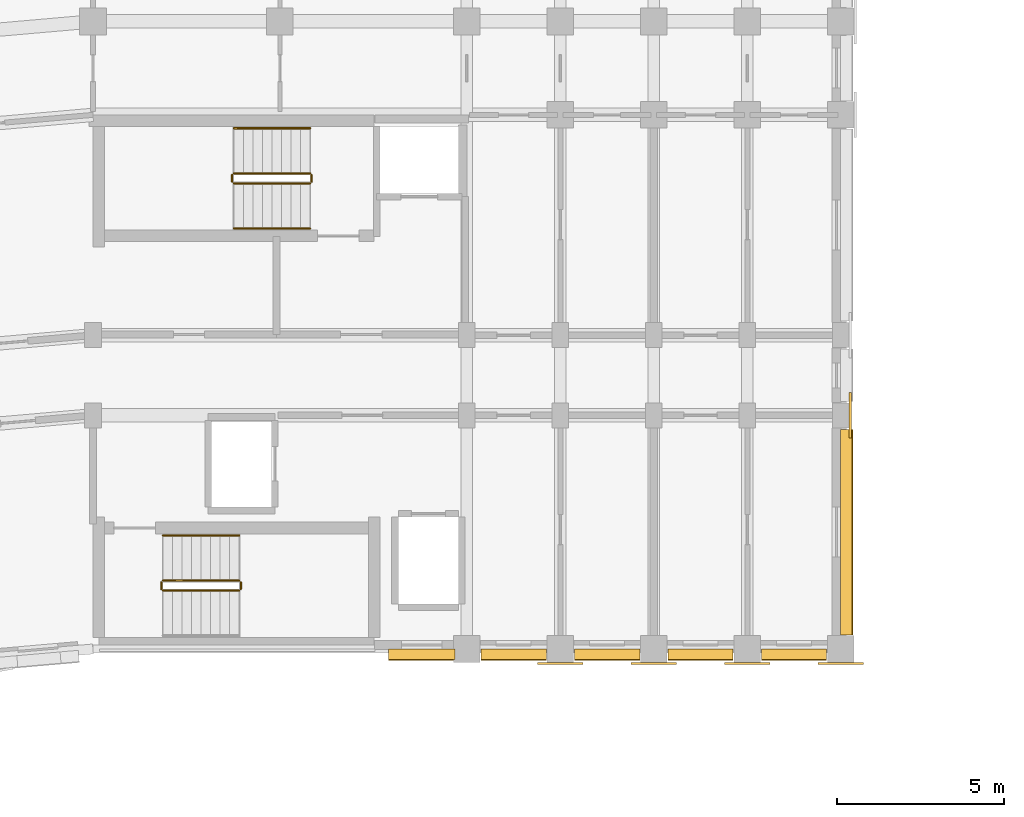
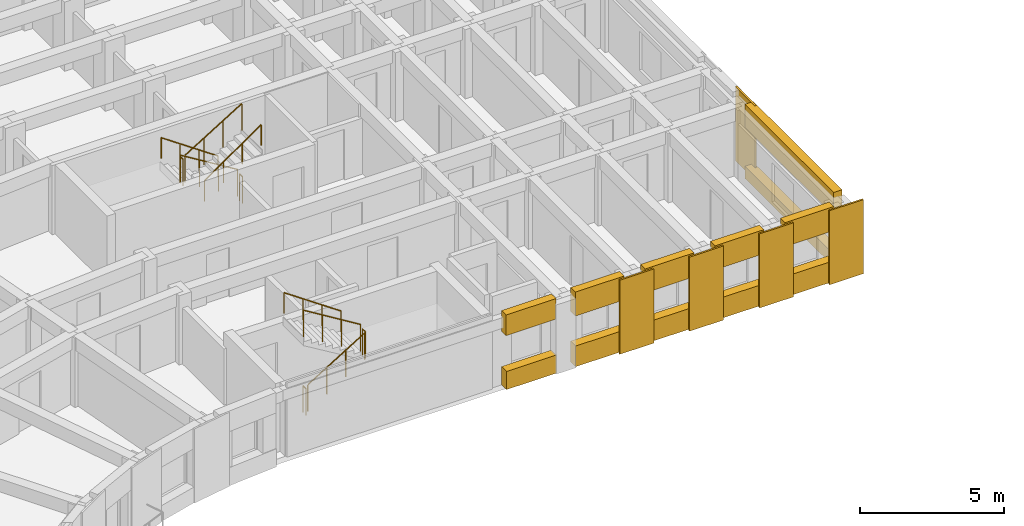
# One storey, part 68 of 76: 17 coverings, 11 railings.
"""IFC4 building model written with IfcOpenShell, lengths in metres."""

from ifc_helpers import new_model, si_unit, direction, frame, origin, origin_2d, place, context, subcontext, project, spatial, polyline, circle, outline, extrude, material, layer, layer_set, type_object, element, save


model = new_model("IFC4")

# Units and contexts
model_context = context("Model", 3, precision=1e-05, world=origin(), true_north=direction((0.0, 1.0)))
body_context = subcontext(model_context, "Body", "Model", "MODEL_VIEW")
ifc_project = project(units=[si_unit("LENGTHUNIT", "METRE"), si_unit("AREAUNIT", "SQUARE_METRE"), si_unit("VOLUMEUNIT", "CUBIC_METRE"), si_unit("PLANEANGLEUNIT", "RADIAN"), si_unit("MASSUNIT", "GRAM", prefix="KILO")], contexts=[model_context])

# Site, building, storey
site_placement = place(None, origin())
site = spatial("IfcSite", under=ifc_project, at=site_placement, CompositionType="ELEMENT")
building_placement = place(site_placement, origin())
building = spatial("IfcBuilding", under=site, at=building_placement, Name="Kiranvali Square Residences", CompositionType="ELEMENT")
storey_placement = place(building_placement, frame((0.0, 0.0, 8.699951171875)))
storey = spatial("IfcBuildingStorey", under=building, at=storey_placement, Name="L02", CompositionType="ELEMENT", Elevation=8.699951171875)

# Coverings
ifc_material_1 = material(Name="Honed Porbandar limestone ashlar facade cladding", Category="masonry")
ifc_layer_1 = layer(ifc_material_1, 0.050048828125)
ifc_layer_set_1 = layer_set([ifc_layer_1], Name="Honed Porbandar limestone ashlar facade cladding")
covering_type_1 = type_object("IfcCoveringType", Name="COV-CLAD-PIER-IN", PredefinedType="CLADDING", material=ifc_layer_set_1)
covering_1_placement = place(storey_placement, frame((0.0, 0.0, 0.005126953125)))
element("IfcCovering", 1, at=covering_1_placement, inside=storey, type_object=covering_type_1, Name="L02 Classical limestone pilaster casing CLAD-PRA1I-A-L02-U140", PredefinedType="CLADDING", context=body_context, shape_type="SweptSolid", body=[
    extrude(outline(polyline([(61.52001953125, 106.132080078125), (62.8798828125, 106.132080078125), (62.8798828125, 106.199462890625), (61.52001953125, 106.199462890625), (61.52001953125, 106.132080078125)])), origin(), (0.0, 0.0, 1.0), 3.139892578125),
])
covering_2_placement = place(storey_placement, frame((0.0, 0.0, 0.005126953125)))
element("IfcCovering", 2, at=covering_2_placement, inside=storey, type_object=covering_type_1, Name="L02 Classical limestone pilaster casing CLAD-PRA1I-A-L02-U167", PredefinedType="CLADDING", context=body_context, shape_type="SweptSolid", body=[
    extrude(outline(polyline([(64.320068359375, 106.132080078125), (65.679931640625, 106.132080078125), (65.679931640625, 106.199462890625), (64.320068359375, 106.199462890625), (64.320068359375, 106.132080078125)])), origin(), (0.0, 0.0, 1.0), 3.139892578125),
])
covering_3_placement = place(storey_placement, frame((0.0, 0.0, 0.005126953125)))
element("IfcCovering", 3, at=covering_3_placement, inside=storey, type_object=covering_type_1, Name="L02 Classical limestone pilaster casing CLAD-PRA1I-A-L02-U195", PredefinedType="CLADDING", context=body_context, shape_type="SweptSolid", body=[
    extrude(outline(polyline([(67.1201171875, 106.132080078125), (68.47998046875, 106.132080078125), (68.47998046875, 106.199462890625), (67.1201171875, 106.199462890625), (67.1201171875, 106.132080078125)])), origin(), (0.0, 0.0, 1.0), 3.139892578125),
])
covering_4_placement = place(storey_placement, frame((0.0, 0.0, 0.005126953125)))
element("IfcCovering", 4, at=covering_4_placement, inside=storey, type_object=covering_type_1, Name="L02 Classical limestone pilaster casing CLAD-PRA1I-A-L02-U224", PredefinedType="CLADDING", context=body_context, shape_type="SweptSolid", body=[
    extrude(outline(polyline([(69.919921875, 106.132080078125), (71.280029296875, 106.132080078125), (71.280029296875, 106.199462890625), (69.919921875, 106.199462890625), (69.919921875, 106.132080078125)])), origin(), (0.0, 0.0, 1.0), 3.139892578125),
])
ifc_layer_2 = layer(ifc_material_1, 0.054931640625)
ifc_layer_set_2 = layer_set([ifc_layer_2], Name="Honed Porbandar limestone ashlar facade cladding")
covering_type_2 = type_object("IfcCoveringType", Name="COV-CLAD-PIER-UP", PredefinedType="CLADDING", material=ifc_layer_set_2)
covering_5_placement = place(storey_placement, frame((0.0, 0.0, 0.005126953125)))
element("IfcCovering", 5, at=covering_5_placement, inside=storey, type_object=covering_type_2, Name="L02 Classical limestone pilaster casing CLAD-PRA1E-A-L02-R258", PredefinedType="CLADDING", context=body_context, shape_type="SweptSolid", body=[
    extrude(outline(polyline([(70.91796875, 112.919921875), (70.91796875, 114.280029296875), (70.8505859375, 114.280029296875), (70.8505859375, 112.919921875), (70.91796875, 112.919921875)])), origin(), (0.0, 0.0, 1.0), 3.139892578125),
])
ifc_layer_3 = layer(ifc_material_1, 0.360107421875)
ifc_layer_set_3 = layer_set([ifc_layer_3], Name="Honed Porbandar limestone ashlar facade cladding")
covering_type_3 = type_object("IfcCoveringType", Name="COV-CLAD-WALL", PredefinedType="CLADDING", material=ifc_layer_set_3)
covering_6_placement = place(storey_placement, frame((0.0, 0.0, 2.27197265625)))
element("IfcCovering", 6, at=covering_6_placement, inside=storey, type_object=covering_type_3, Name="L02 light limestone spandrel lintel A-L02-A1IN-0", PredefinedType="CLADDING", context=body_context, shape_type="SweptSolid", body=[
    extrude(outline(polyline([(57.050048828125, 106.280029296875), (59.050048828125, 106.280029296875), (59.050048828125, 106.599609375), (57.050048828125, 106.599609375), (57.050048828125, 106.280029296875)])), origin(), (0.0, 0.0, 1.0), 0.873046875),
])
covering_7_placement = place(storey_placement, frame((0.0, 0.0, 0.005126953125)))
element("IfcCovering", 7, at=covering_7_placement, inside=storey, type_object=covering_type_3, Name="L02 limestone window sill apron A-L02-A1IN-0", PredefinedType="CLADDING", context=body_context, shape_type="SweptSolid", body=[
    extrude(outline(polyline([(57.050048828125, 106.25), (59.050048828125, 106.25), (59.050048828125, 106.599609375), (57.050048828125, 106.599609375), (57.050048828125, 106.25)])), origin(), (0.0, 0.0, 1.0), 0.766845703125),
])
covering_8_placement = place(storey_placement, frame((0.0, 0.0, 2.130126953125)))
element("IfcCovering", 8, at=covering_8_placement, inside=storey, type_object=covering_type_3, Name="L02 light limestone spandrel lintel A-L02-A1I-0", PredefinedType="CLADDING", context=body_context, shape_type="SweptSolid", body=[
    extrude(outline(polyline([(59.820068359375, 106.280029296875), (61.780029296875, 106.280029296875), (61.780029296875, 106.599609375), (59.820068359375, 106.599609375), (59.820068359375, 106.280029296875)])), origin(), (0.0, 0.0, 1.0), 1.014892578125),
])
covering_9_placement = place(storey_placement, frame((0.0, 0.0, 0.005126953125)))
element("IfcCovering", 9, at=covering_9_placement, inside=storey, type_object=covering_type_3, Name="L02 limestone window sill apron A-L02-A1I-0", PredefinedType="CLADDING", context=body_context, shape_type="SweptSolid", body=[
    extrude(outline(polyline([(59.820068359375, 106.25), (61.780029296875, 106.25), (61.780029296875, 106.599609375), (59.820068359375, 106.599609375), (59.820068359375, 106.25)])), origin(), (0.0, 0.0, 1.0), 0.875),
])
covering_10_placement = place(storey_placement, frame((0.0, 0.0, 2.130126953125)))
element("IfcCovering", 10, at=covering_10_placement, inside=storey, type_object=covering_type_3, Name="L02 light limestone spandrel lintel A-L02-A1I-1", PredefinedType="CLADDING", context=body_context, shape_type="SweptSolid", body=[
    extrude(outline(polyline([(62.6201171875, 106.280029296875), (64.580078125, 106.280029296875), (64.580078125, 106.599609375), (62.6201171875, 106.599609375), (62.6201171875, 106.280029296875)])), origin(), (0.0, 0.0, 1.0), 1.014892578125),
])
covering_11_placement = place(storey_placement, frame((0.0, 0.0, 0.005126953125)))
element("IfcCovering", 11, at=covering_11_placement, inside=storey, type_object=covering_type_3, Name="L02 limestone window sill apron A-L02-A1I-1", PredefinedType="CLADDING", context=body_context, shape_type="SweptSolid", body=[
    extrude(outline(polyline([(62.6201171875, 106.25), (64.580078125, 106.25), (64.580078125, 106.599609375), (62.6201171875, 106.599609375), (62.6201171875, 106.25)])), origin(), (0.0, 0.0, 1.0), 0.875),
])
covering_12_placement = place(storey_placement, frame((0.0, 0.0, 2.130126953125)))
element("IfcCovering", 12, at=covering_12_placement, inside=storey, type_object=covering_type_3, Name="L02 light limestone spandrel lintel A-L02-A1I-2", PredefinedType="CLADDING", context=body_context, shape_type="SweptSolid", body=[
    extrude(outline(polyline([(65.419921875, 106.280029296875), (67.3798828125, 106.280029296875), (67.3798828125, 106.599609375), (65.419921875, 106.599609375), (65.419921875, 106.280029296875)])), origin(), (0.0, 0.0, 1.0), 1.014892578125),
])
covering_13_placement = place(storey_placement, frame((0.0, 0.0, 0.005126953125)))
element("IfcCovering", 13, at=covering_13_placement, inside=storey, type_object=covering_type_3, Name="L02 limestone window sill apron A-L02-A1I-2", PredefinedType="CLADDING", context=body_context, shape_type="SweptSolid", body=[
    extrude(outline(polyline([(65.419921875, 106.25), (67.3798828125, 106.25), (67.3798828125, 106.599609375), (65.419921875, 106.599609375), (65.419921875, 106.25)])), origin(), (0.0, 0.0, 1.0), 0.875),
])
covering_14_placement = place(storey_placement, frame((0.0, 0.0, 2.130126953125)))
element("IfcCovering", 14, at=covering_14_placement, inside=storey, type_object=covering_type_3, Name="L02 light limestone spandrel lintel A-L02-A1I-3", PredefinedType="CLADDING", context=body_context, shape_type="SweptSolid", body=[
    extrude(outline(polyline([(68.219970703125, 106.280029296875), (70.179931640625, 106.280029296875), (70.179931640625, 106.599609375), (68.219970703125, 106.599609375), (68.219970703125, 106.280029296875)])), origin(), (0.0, 0.0, 1.0), 1.014892578125),
])
covering_15_placement = place(storey_placement, frame((0.0, 0.0, 0.005126953125)))
element("IfcCovering", 15, at=covering_15_placement, inside=storey, type_object=covering_type_3, Name="L02 limestone window sill apron A-L02-A1I-3", PredefinedType="CLADDING", context=body_context, shape_type="SweptSolid", body=[
    extrude(outline(polyline([(68.219970703125, 106.25), (70.179931640625, 106.25), (70.179931640625, 106.599609375), (68.219970703125, 106.599609375), (68.219970703125, 106.25)])), origin(), (0.0, 0.0, 1.0), 0.875),
])
covering_16_placement = place(storey_placement, frame((0.0, 0.0, 2.172119140625)))
element("IfcCovering", 16, at=covering_16_placement, inside=storey, type_object=covering_type_3, Name="L02 light limestone spandrel lintel A-L02-A1END-0", PredefinedType="CLADDING", context=body_context, shape_type="SweptSolid", body=[
    extrude(outline(polyline([(70.93994140625, 107.02001953125), (70.93994140625, 113.179931640625), (70.6005859375, 113.179931640625), (70.6005859375, 107.02001953125), (70.93994140625, 107.02001953125)])), origin(), (0.0, 0.0, 1.0), 0.972900390625),
])
covering_17_placement = place(storey_placement, frame((0.0, 0.0, 0.005126953125)))
element("IfcCovering", 17, at=covering_17_placement, inside=storey, type_object=covering_type_3, Name="L02 limestone window sill apron A-L02-A1END-0", PredefinedType="CLADDING", context=body_context, shape_type="SweptSolid", body=[
    extrude(outline(polyline([(70.969970703125, 107.02001953125), (70.969970703125, 113.179931640625), (70.6005859375, 113.179931640625), (70.6005859375, 107.02001953125), (70.969970703125, 107.02001953125)])), origin(), (0.0, 0.0, 1.0), 0.516845703125),
])

# Railings
ifc_material_2 = material(Name="Brushed stainless steel tubular handrail", Category="steel")
railing_type_1 = type_object("IfcRailingType", Name="RL-HANDRAIL-900", PredefinedType="HANDRAIL", material=ifc_material_2)
railing_1_placement = place(storey_placement, frame((54.699951171875, 122.199951171875, 0.175048828125)))
element("IfcRailing", 18, at=railing_1_placement, inside=storey, type_object=railing_type_1, Name="L02 ST-A1 stair handrail 1", PredefinedType="HANDRAIL", context=body_context, shape_type="SweptSolid", body=[
    extrude(circle(Radius=0.02392578125, at=origin_2d()), frame((0.0, 0.0, 0.8759765625), z_axis=(-0.82278801735, 0.0, 0.568348377763), x_axis=(0.0, -1.0, 0.0)), (0.0, 0.0, 1.0), 2.77099609375),
    extrude(circle(Radius=0.02099609375, at=origin_2d()), origin(), (0.0, 0.0, 1.0), 0.851806640625),
    extrude(circle(Radius=0.02099609375, at=origin_2d()), frame((-0.760009765625, 0.0, 0.52490234375)), (0.0, 0.0, 1.0), 0.851806640625),
    extrude(circle(Radius=0.02099609375, at=origin_2d()), frame((-1.52001953125, 0.0, 1.050048828125)), (0.0, 0.0, 1.0), 0.851806640625),
    extrude(circle(Radius=0.02099609375, at=origin_2d()), frame((-2.280029296875, 0.0, 1.574951171875)), (0.0, 0.0, 1.0), 0.851806640625),
])
railing_2_placement = place(storey_placement, frame((52.419921875, 119.199951171875, 1.75)))
element("IfcRailing", 19, at=railing_2_placement, inside=storey, type_object=railing_type_1, Name="L02 ST-A1 stair handrail 2", PredefinedType="HANDRAIL", context=body_context, shape_type="SweptSolid", body=[
    extrude(circle(Radius=0.02392578125, at=origin_2d()), frame((0.0, 0.0, 0.8759765625), z_axis=(0.82278801735, 0.0, 0.568348377763), x_axis=(0.0, 1.0, 0.0)), (0.0, 0.0, 1.0), 2.77099609375),
    extrude(circle(Radius=0.02099609375, at=origin_2d()), origin(), (0.0, 0.0, 1.0), 0.851806640625),
    extrude(circle(Radius=0.02099609375, at=origin_2d()), frame((0.760009765625, 0.0, 0.52490234375)), (0.0, 0.0, 1.0), 0.851806640625),
    extrude(circle(Radius=0.02099609375, at=origin_2d()), frame((1.52001953125, 0.0, 1.050048828125)), (0.0, 0.0, 1.0), 0.851806640625),
    extrude(circle(Radius=0.02099609375, at=origin_2d()), frame((2.280029296875, 0.0, 1.574951171875)), (0.0, 0.0, 1.0), 0.851806640625),
])
railing_3_placement = place(storey_placement, frame((52.580078125, 110.0, 1.75)))
element("IfcRailing", 20, at=railing_3_placement, inside=storey, type_object=railing_type_1, Name="L02 ST-A2 stair handrail 2", PredefinedType="HANDRAIL", context=body_context, shape_type="SweptSolid", body=[
    extrude(circle(Radius=0.02392578125, at=origin_2d()), frame((0.0, 0.0, 0.8759765625), z_axis=(-0.82278801735, 0.0, 0.568348377763), x_axis=(0.0, -1.0, 0.0)), (0.0, 0.0, 1.0), 2.77099609375),
    extrude(circle(Radius=0.02099609375, at=origin_2d()), origin(), (0.0, 0.0, 1.0), 0.851806640625),
    extrude(circle(Radius=0.02099609375, at=origin_2d()), frame((-0.760009765625, 0.0, 0.52490234375)), (0.0, 0.0, 1.0), 0.851806640625),
    extrude(circle(Radius=0.02099609375, at=origin_2d()), frame((-1.52001953125, 0.0, 1.050048828125)), (0.0, 0.0, 1.0), 0.851806640625),
    extrude(circle(Radius=0.02099609375, at=origin_2d()), frame((-2.280029296875, 0.0, 1.574951171875)), (0.0, 0.0, 1.0), 0.851806640625),
])
ifc_material_3 = material(Name="Powder-coated architectural bronze balustrade", Category="steel")
railing_type_2 = type_object("IfcRailingType", Name="RL-ST-GUARD-1200", PredefinedType="GUARDRAIL", material=ifc_material_3)
railing_4_placement = place(storey_placement, frame((54.699951171875, 120.85009765625, 0.175048828125)))
element("IfcRailing", 21, at=railing_4_placement, inside=storey, type_object=railing_type_2, Name="L02 ST-A1 stair guard 1", PredefinedType="GUARDRAIL", context=body_context, shape_type="SweptSolid", body=[
    extrude(circle(Radius=0.02392578125, at=origin_2d()), frame((0.0, 0.0, 1.1259765625), z_axis=(-0.852190499154, 0.0, 0.523231643875), x_axis=(0.0, -1.0, 0.0)), (0.0, 0.0, 1.0), 2.675537109375),
    extrude(circle(Radius=0.02099609375, at=origin_2d()), origin(), (0.0, 0.0, 1.0), 1.101806640625),
    extrude(circle(Radius=0.02099609375, at=origin_2d()), frame((-0.760009765625, 0.0, 0.466552734375)), (0.0, 0.0, 1.0), 1.101806640625),
    extrude(circle(Radius=0.02099609375, at=origin_2d()), frame((-1.52001953125, 0.0, 0.933349609375)), (0.0, 0.0, 1.0), 1.101806640625),
    extrude(circle(Radius=0.02099609375, at=origin_2d()), frame((-2.280029296875, 0.0, 1.39990234375)), (0.0, 0.0, 1.0), 1.101806640625),
])
railing_5_placement = place(storey_placement, frame((52.3701171875, 120.800048828125, 1.574951171875)))
element("IfcRailing", 22, at=railing_5_placement, inside=storey, type_object=railing_type_2, Name="L02 ST-A1 stair guard 2", PredefinedType="GUARDRAIL", context=body_context, shape_type="SweptSolid", body=[
    extrude(circle(Radius=0.02392578125, at=origin_2d()), frame((0.0, 0.0, 1.1259765625), z_axis=(0.0, -1.0, 0.0), x_axis=(1.0, 0.0, 0.0)), (0.0, 0.0, 1.0), 0.199951171875),
    extrude(circle(Radius=0.02099609375, at=origin_2d()), origin(), (0.0, 0.0, 1.0), 1.101806640625),
    extrude(circle(Radius=0.02099609375, at=origin_2d()), frame((0.0, -0.199951171875, 0.0)), (0.0, 0.0, 1.0), 1.101806640625),
])
railing_6_placement = place(storey_placement, frame((52.419921875, 120.550048828125, 1.75)))
element("IfcRailing", 23, at=railing_6_placement, inside=storey, type_object=railing_type_2, Name="L02 ST-A1 stair guard 3", PredefinedType="GUARDRAIL", context=body_context, shape_type="SweptSolid", body=[
    extrude(circle(Radius=0.02392578125, at=origin_2d()), frame((0.0, 0.0, 1.1259765625), z_axis=(0.852149810458, 0.0, 0.523297908018), x_axis=(0.0, 1.0, 0.0)), (0.0, 0.0, 1.0), 2.675537109375),
    extrude(circle(Radius=0.02099609375, at=origin_2d()), origin(), (0.0, 0.0, 1.0), 1.101806640625),
    extrude(circle(Radius=0.02099609375, at=origin_2d()), frame((0.760009765625, 0.0, 0.466796875)), (0.0, 0.0, 1.0), 1.101806640625),
    extrude(circle(Radius=0.02099609375, at=origin_2d()), frame((1.52001953125, 0.0, 0.933349609375)), (0.0, 0.0, 1.0), 1.101806640625),
    extrude(circle(Radius=0.02099609375, at=origin_2d()), frame((2.280029296875, 0.0, 1.400146484375)), (0.0, 0.0, 1.0), 1.101806640625),
])
railing_7_placement = place(storey_placement, frame((54.75, 120.800048828125, 0.0)))
element("IfcRailing", 24, at=railing_7_placement, inside=storey, type_object=railing_type_2, Name="L02 ST-A1 stair guard 4", PredefinedType="GUARDRAIL", context=body_context, shape_type="SweptSolid", body=[
    extrude(circle(Radius=0.02392578125, at=origin_2d()), frame((0.0, 0.0, 1.1259765625), z_axis=(0.0, -1.0, 0.0), x_axis=(1.0, 0.0, 0.0)), (0.0, 0.0, 1.0), 0.199951171875),
    extrude(circle(Radius=0.02099609375, at=origin_2d()), origin(), (0.0, 0.0, 1.0), 1.101806640625),
    extrude(circle(Radius=0.02099609375, at=origin_2d()), frame((0.0, -0.199951171875, 0.0)), (0.0, 0.0, 1.0), 1.101806640625),
])
railing_8_placement = place(storey_placement, frame((50.300048828125, 108.35009765625, 0.175048828125)))
element("IfcRailing", 25, at=railing_8_placement, inside=storey, type_object=railing_type_2, Name="L02 ST-A2 stair guard 1", PredefinedType="GUARDRAIL", context=body_context, shape_type="SweptSolid", body=[
    extrude(circle(Radius=0.02392578125, at=origin_2d()), frame((0.0, 0.0, 1.1259765625), z_axis=(0.852190499154, 0.0, 0.523231643875), x_axis=(0.0, 1.0, 0.0)), (0.0, 0.0, 1.0), 2.675537109375),
    extrude(circle(Radius=0.02099609375, at=origin_2d()), origin(), (0.0, 0.0, 1.0), 1.101806640625),
    extrude(circle(Radius=0.02099609375, at=origin_2d()), frame((0.760009765625, 0.0, 0.466552734375)), (0.0, 0.0, 1.0), 1.101806640625),
    extrude(circle(Radius=0.02099609375, at=origin_2d()), frame((1.52001953125, 0.0, 0.933349609375)), (0.0, 0.0, 1.0), 1.101806640625),
    extrude(circle(Radius=0.02099609375, at=origin_2d()), frame((2.280029296875, 0.0, 1.39990234375)), (0.0, 0.0, 1.0), 1.101806640625),
])
railing_9_placement = place(storey_placement, frame((52.6298828125, 108.39990234375, 1.574951171875)))
element("IfcRailing", 26, at=railing_9_placement, inside=storey, type_object=railing_type_2, Name="L02 ST-A2 stair guard 2", PredefinedType="GUARDRAIL", context=body_context, shape_type="SweptSolid", body=[
    extrude(circle(Radius=0.02392578125, at=origin_2d()), frame((0.0, 0.0, 1.1259765625), z_axis=(0.0, 1.0, 0.0), x_axis=(-1.0, 0.0, 0.0)), (0.0, 0.0, 1.0), 0.2001953125),
    extrude(circle(Radius=0.02099609375, at=origin_2d()), origin(), (0.0, 0.0, 1.0), 1.101806640625),
    extrude(circle(Radius=0.02099609375, at=origin_2d()), frame((0.0, 0.2001953125, 0.0)), (0.0, 0.0, 1.0), 1.101806640625),
])
railing_10_placement = place(storey_placement, frame((52.580078125, 108.64990234375, 1.75)))
element("IfcRailing", 27, at=railing_10_placement, inside=storey, type_object=railing_type_2, Name="L02 ST-A2 stair guard 3", PredefinedType="GUARDRAIL", context=body_context, shape_type="SweptSolid", body=[
    extrude(circle(Radius=0.02392578125, at=origin_2d()), frame((0.0, 0.0, 1.1259765625), z_axis=(-0.852149810458, 0.0, 0.523297908018), x_axis=(0.0, -1.0, 0.0)), (0.0, 0.0, 1.0), 2.675537109375),
    extrude(circle(Radius=0.02099609375, at=origin_2d()), origin(), (0.0, 0.0, 1.0), 1.101806640625),
    extrude(circle(Radius=0.02099609375, at=origin_2d()), frame((-0.760009765625, 0.0, 0.466796875)), (0.0, 0.0, 1.0), 1.101806640625),
    extrude(circle(Radius=0.02099609375, at=origin_2d()), frame((-1.52001953125, 0.0, 0.933349609375)), (0.0, 0.0, 1.0), 1.101806640625),
    extrude(circle(Radius=0.02099609375, at=origin_2d()), frame((-2.280029296875, 0.0, 1.400146484375)), (0.0, 0.0, 1.0), 1.101806640625),
])
railing_11_placement = place(storey_placement, frame((50.25, 108.39990234375, 0.0)))
element("IfcRailing", 28, at=railing_11_placement, inside=storey, type_object=railing_type_2, Name="L02 ST-A2 stair guard 4", PredefinedType="GUARDRAIL", context=body_context, shape_type="SweptSolid", body=[
    extrude(circle(Radius=0.02392578125, at=origin_2d()), frame((0.0, 0.0, 1.1259765625), z_axis=(0.0, 1.0, 0.0), x_axis=(-1.0, 0.0, 0.0)), (0.0, 0.0, 1.0), 0.2001953125),
    extrude(circle(Radius=0.02099609375, at=origin_2d()), origin(), (0.0, 0.0, 1.0), 1.101806640625),
    extrude(circle(Radius=0.02099609375, at=origin_2d()), frame((0.0, 0.2001953125, 0.0)), (0.0, 0.0, 1.0), 1.101806640625),
])

save(model, "model.ifc")
